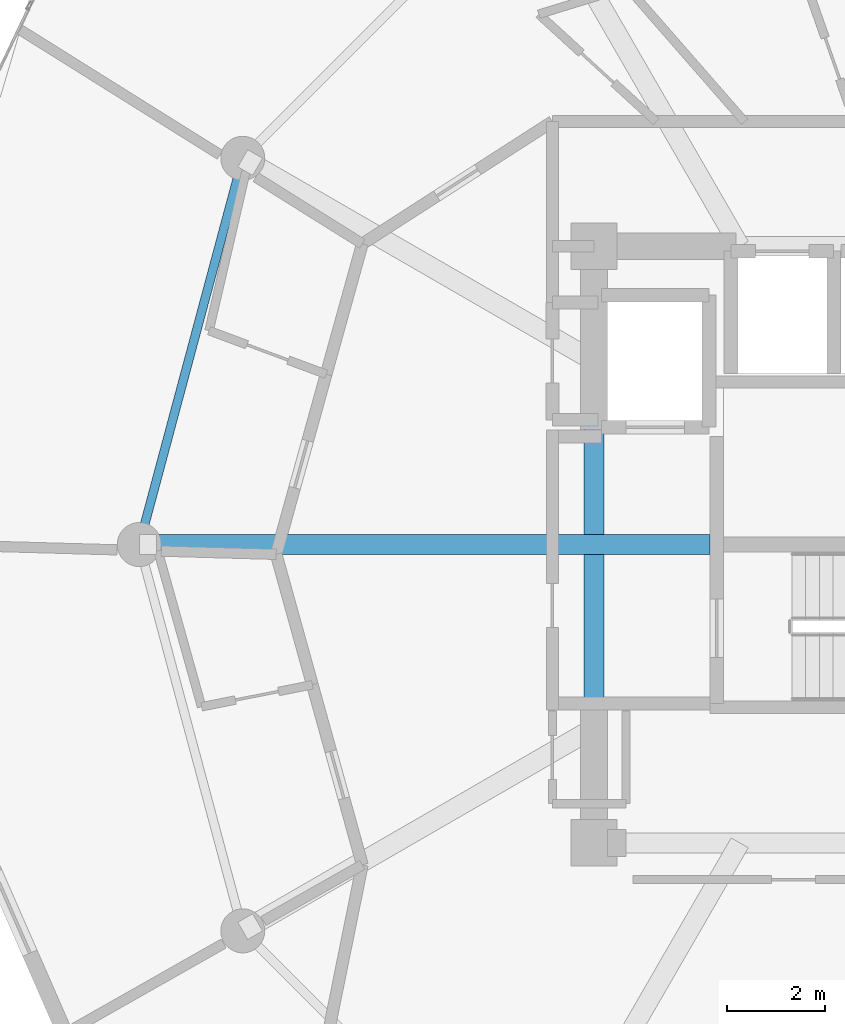
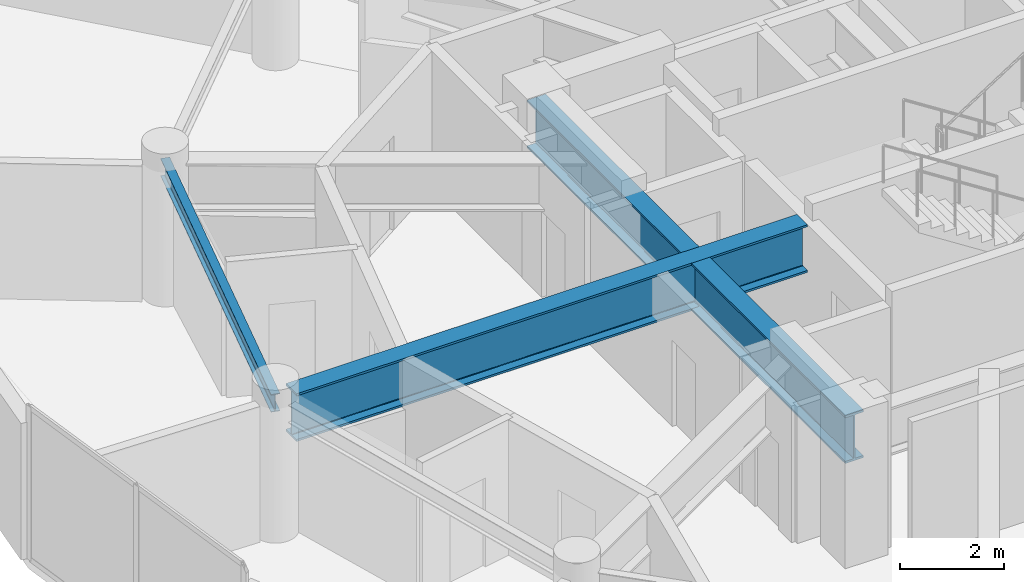
# One storey, part 7 of 22: 3 beams.
"""IFC4 building model written with IfcOpenShell, lengths in metres."""

from ifc_helpers import new_model, si_unit, direction, frame, origin, origin_2d, place, context, subcontext, project, spatial, i_section, extrude, material, material_profile, profile_set, type_object, element, save


model = new_model("IFC4")

# Units and contexts
model_context = context("Model", 3, precision=1e-05, world=origin(), true_north=direction((0.0, 1.0)))
body_context = subcontext(model_context, "Body", "Model", "MODEL_VIEW")
ifc_project = project(units=[si_unit("LENGTHUNIT", "METRE"), si_unit("AREAUNIT", "SQUARE_METRE"), si_unit("VOLUMEUNIT", "CUBIC_METRE"), si_unit("PLANEANGLEUNIT", "RADIAN"), si_unit("MASSUNIT", "GRAM", prefix="KILO")], contexts=[model_context])

# Site, building, storey
site_placement = place(None, origin())
site = spatial("IfcSite", under=ifc_project, at=site_placement, CompositionType="ELEMENT")
building_placement = place(site_placement, origin())
building = spatial("IfcBuilding", under=site, at=building_placement, Name="Solvirekh Grand Hotel", CompositionType="ELEMENT")
storey_placement = place(building_placement, frame((0.0, 0.0, 230.800048828125)))
storey = spatial("IfcBuildingStorey", under=building, at=storey_placement, Name="L60", CompositionType="ELEMENT", Elevation=230.800048828125)

# Beams
ifc_material_1 = material(Name="Steel S355", Category="steel")
ifc_material_profile_1 = material_profile(ifc_material_1, i_section(OverallWidth=0.180908203125, OverallDepth=0.4169921875, WebThickness=0.010009765625, FlangeThickness=0.01611328125, FilletRadius=0.011962890625, at=origin_2d()), Name="W410X85")
ifc_profile_set_1 = profile_set([ifc_material_profile_1], Name="Steel S355")
beam_type_1 = type_object("IfcBeamType", Name="Spandrel_Ring_W410", PredefinedType="SPANDREL", material=ifc_profile_set_1)
beam_1_placement = place(storey_placement, frame((-13.68310546875, 7.89990234375, 2.991943359375), z_axis=(-0.258838541915, -0.965920601923, 0.0), x_axis=(0.965920601923, -0.258838541915, 0.0)))
element("IfcBeam", 1, at=beam_1_placement, inside=storey, type_object=beam_type_1, Name="L60 perimeter spandrel beam 6", PredefinedType="SPANDREL", context=body_context, shape_type="SweptSolid", body=[
    extrude(i_section(OverallWidth=0.180908203125, OverallDepth=0.4169921875, WebThickness=0.010009765625, FlangeThickness=0.01611328125, FilletRadius=0.011962890625, at=origin_2d()), origin(), (0.0, 0.0, 1.0), 8.1787109375),
])
ifc_material_2 = material(Name="Steel S460", Category="steel")
ifc_material_profile_2 = material_profile(ifc_material_2, i_section(OverallWidth=0.405029296875, OverallDepth=1.117919921875, WebThickness=0.02587890625, FlangeThickness=0.048095703125, FilletRadius=0.02392578125, at=origin_2d()), Name="W1100X499")
ifc_profile_set_2 = profile_set([ifc_material_profile_2], Name="Steel S460")
beam_type_2 = type_object("IfcBeamType", Name="TransferGirder_W1100", PredefinedType="USERDEFINED", material=ifc_profile_set_2)
beam_2_placement = place(storey_placement, frame((-6.5, 6.10009765625, 2.640869140625), z_axis=(0.0, -1.0, 0.0), x_axis=(1.0, 0.0, 0.0)))
element("IfcBeam", 2, at=beam_2_placement, inside=storey, type_object=beam_type_2, Name="L60 core coupling ring beam 4", ObjectType="TRANSFER GIRDER", PredefinedType="USERDEFINED", context=body_context, shape_type="SweptSolid", body=[
    extrude(i_section(OverallWidth=0.405029296875, OverallDepth=1.117919921875, WebThickness=0.02587890625, FlangeThickness=0.048095703125, FilletRadius=0.02392578125, at=origin_2d()), origin(), (0.0, 0.0, 1.0), 12.2001953125),
])
beam_3_placement = place(storey_placement, frame((-4.1298828125, 0.0, 2.640869140625), z_axis=(-1.0, 0.0, 0.0), x_axis=(0.0, -1.0, 0.0)))
element("IfcBeam", 3, at=beam_3_placement, inside=storey, type_object=beam_type_2, Name="L60 inner radial transfer girder 7A", ObjectType="TRANSFER GIRDER", PredefinedType="USERDEFINED", context=body_context, shape_type="SweptSolid", body=[
    extrude(i_section(OverallWidth=0.405029296875, OverallDepth=1.117919921875, WebThickness=0.02587890625, FlangeThickness=0.048095703125, FilletRadius=0.02392578125, at=origin_2d()), origin(), (0.0, 0.0, 1.0), 11.320068359375),
])

save(model, "model.ifc")
